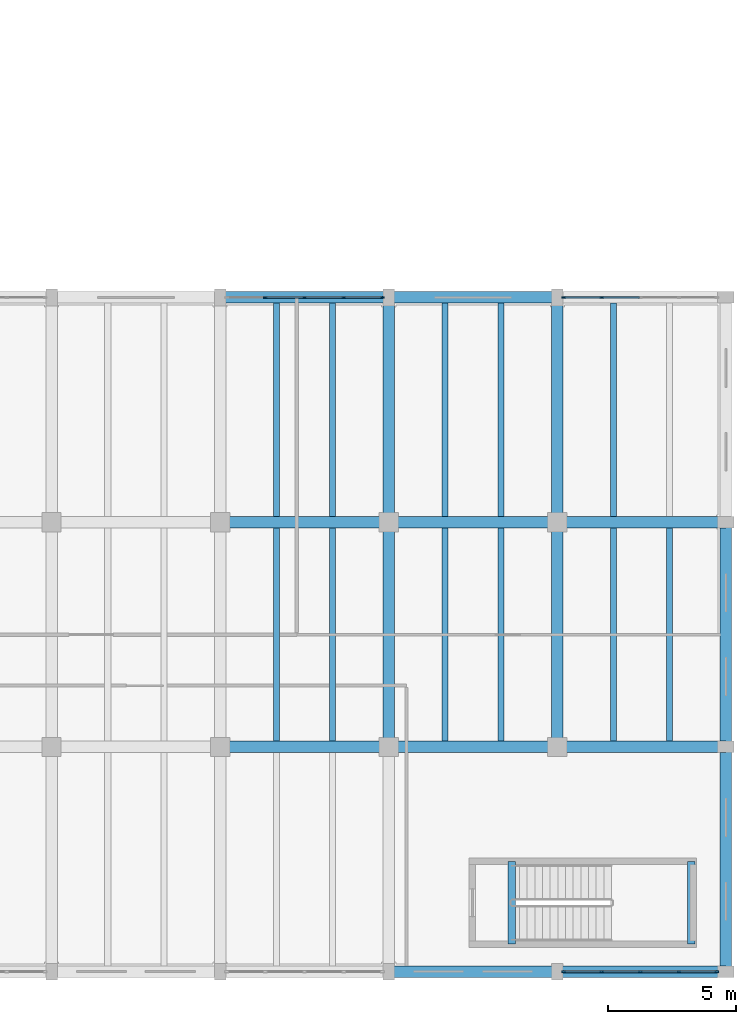
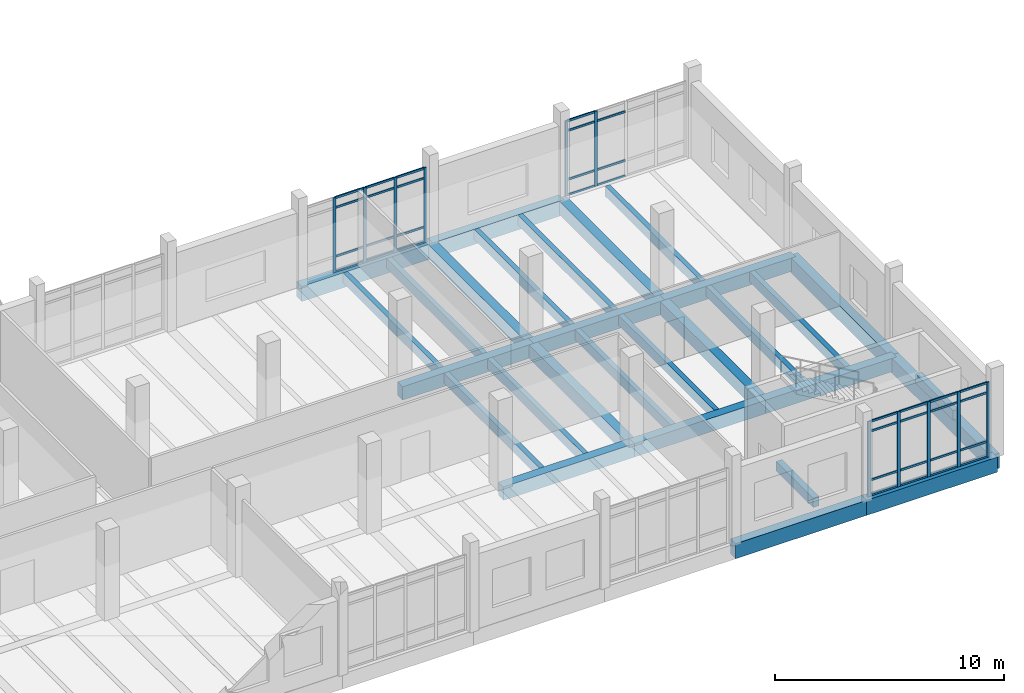
# One storey, part 50 of 125: 46 members, 29 beams, 3 elements without a shape of their own.
"""IFC4 building model written with IfcOpenShell, lengths in metres."""

from ifc_helpers import new_model, si_unit, direction, frame, origin, origin_2d, place, context, subcontext, project, spatial, rectangle, extrude, material, material_profile, profile_set, type_object, element, aggregate, save


model = new_model("IFC4")

# Units and contexts
model_context = context("Model", 3, precision=1e-05, world=origin(), true_north=direction((0.0, 1.0)))
body_context = subcontext(model_context, "Body", "Model", "MODEL_VIEW")
ifc_project = project(units=[si_unit("LENGTHUNIT", "METRE"), si_unit("AREAUNIT", "SQUARE_METRE"), si_unit("VOLUMEUNIT", "CUBIC_METRE"), si_unit("PLANEANGLEUNIT", "RADIAN"), si_unit("MASSUNIT", "GRAM", prefix="KILO")], contexts=[model_context])

# Site, building, storey
site_placement = place(None, origin())
site = spatial("IfcSite", under=ifc_project, at=site_placement, CompositionType="ELEMENT")
building_placement = place(site_placement, origin())
building = spatial("IfcBuilding", under=site, at=building_placement, Name="Dornvale Research Institute", CompositionType="ELEMENT")
storey_placement = place(building_placement, frame((0.0, 0.0, 5.39990234375)))
storey = spatial("IfcBuildingStorey", under=building, at=storey_placement, Name="L01", CompositionType="ELEMENT", Elevation=5.39990234375)

# Beams
ifc_material_1 = material(Name="Concrete f'c 45 MPa (C35/45)", Category="concrete")
ifc_material_profile_1 = material_profile(ifc_material_1, rectangle(XDim=0.300048828125, YDim=0.5, at=origin_2d()), Name="RC 300x500")
ifc_profile_set_1 = profile_set([ifc_material_profile_1], Name="Concrete f'c 45 MPa (C35/45)")
beam_type_1 = type_object("IfcBeamType", Name="Beam_RC300x500_Trim", PredefinedType="BEAM", material=ifc_profile_set_1)
for number, where, z_axis, x_axis, name in (
    (1, (169.820068359375, 1.080078125, -0.25), (0.0, 1.0, 0.0), (-1.0, 0.0, 0.0), "L01 ST-6 stair landing trimmer beam #87"),
    (2, (176.85009765625, 1.080078125, 1.9501953125), (0.0, 1.0, 0.0), (-1.0, 0.0, 0.0), "L01 ST-6 half-landing support beam #93"),
):
    element("IfcBeam", number, at=place(storey_placement, frame(where, z_axis=z_axis, x_axis=x_axis)), inside=storey, type_object=beam_type_1, Name=name, PredefinedType="BEAM", context=body_context, shape_type="SweptSolid", body=[
        extrude(rectangle(XDim=0.300048828125, YDim=0.5, at=origin_2d()), origin(), (0.0, 0.0, 1.0), 3.239990234375),
    ])
ifc_material_2 = material(Name="Concrete f'c 45 MPa (C35/45)", Category="concrete")
ifc_material_profile_2 = material_profile(ifc_material_2, rectangle(XDim=0.449951171875, YDim=0.715087890625, at=origin_2d()), Name="RC 450x715")
ifc_profile_set_2 = profile_set([ifc_material_profile_2], Name="Concrete f'c 45 MPa (C35/45)")
beam_type_2 = type_object("IfcBeamType", Name="Beam_RC450x715_Lab", PredefinedType="BEAM", material=ifc_profile_set_2)
for number, where, z_axis, x_axis, name in (
    (3, (158.39990234375, 8.800048828125, -0.357421875), (1.0, 0.0, 0.0), (0.0, 1.0, 0.0), "L01 primary girder #438"),
    (4, (165.0, 8.800048828125, -0.357421875), (1.0, 0.0, 0.0), (0.0, 1.0, 0.0), "L01 primary girder #439"),
):
    element("IfcBeam", number, at=place(storey_placement, frame(where, z_axis=z_axis, x_axis=x_axis)), inside=storey, type_object=beam_type_2, Name=name, PredefinedType="BEAM", context=body_context, shape_type="SweptSolid", body=[
        extrude(rectangle(XDim=0.449951171875, YDim=0.715087890625, at=origin_2d()), origin(), (0.0, 0.0, 1.0), 6.60009765625),
    ])
beam_1_placement = place(storey_placement, frame((171.60009765625, 8.800048828125, -0.357421875), z_axis=(1.0, 0.0, 0.0), x_axis=(0.0, 1.0, 0.0)))
element("IfcBeam", 5, at=beam_1_placement, inside=storey, type_object=beam_type_2, Name="L01 primary girder #440", PredefinedType="BEAM", context=body_context, shape_type="SweptSolid", body=[
    extrude(rectangle(XDim=0.449951171875, YDim=0.715087890625, at=origin_2d()), origin(), (0.0, 0.0, 1.0), 6.599853515625),
])
for number, where, z_axis, x_axis, name in (
    (6, (158.39990234375, 17.60009765625, -0.357421875), (1.0, 0.0, 0.0), (0.0, 1.0, 0.0), "L01 primary girder #450"),
    (7, (165.0, 17.60009765625, -0.357421875), (1.0, 0.0, 0.0), (0.0, 1.0, 0.0), "L01 primary girder #451"),
):
    element("IfcBeam", number, at=place(storey_placement, frame(where, z_axis=z_axis, x_axis=x_axis)), inside=storey, type_object=beam_type_2, Name=name, PredefinedType="BEAM", context=body_context, shape_type="SweptSolid", body=[
        extrude(rectangle(XDim=0.449951171875, YDim=0.715087890625, at=origin_2d()), origin(), (0.0, 0.0, 1.0), 6.60009765625),
    ])
beam_2_placement = place(storey_placement, frame((171.60009765625, 17.60009765625, -0.357421875), z_axis=(1.0, 0.0, 0.0), x_axis=(0.0, 1.0, 0.0)))
element("IfcBeam", 8, at=beam_2_placement, inside=storey, type_object=beam_type_2, Name="L01 primary girder #452", PredefinedType="BEAM", context=body_context, shape_type="SweptSolid", body=[
    extrude(rectangle(XDim=0.449951171875, YDim=0.715087890625, at=origin_2d()), origin(), (0.0, 0.0, 1.0), 6.599853515625),
])
beam_3_placement = place(storey_placement, frame((165.0, 8.800048828125, -0.357421875), z_axis=(0.0, 1.0, 0.0), x_axis=(-1.0, 0.0, 0.0)))
element("IfcBeam", 9, at=beam_3_placement, inside=storey, type_object=beam_type_2, Name="L01 transverse girder #495", PredefinedType="BEAM", context=body_context, shape_type="SweptSolid", body=[
    extrude(rectangle(XDim=0.449951171875, YDim=0.715087890625, at=origin_2d()), origin(), (0.0, 0.0, 1.0), 8.800048828125),
])
beam_4_placement = place(storey_placement, frame((165.0, 17.60009765625, -0.357421875), z_axis=(0.0, 1.0, 0.0), x_axis=(-1.0, 0.0, 0.0)))
element("IfcBeam", 10, at=beam_4_placement, inside=storey, type_object=beam_type_2, Name="L01 transverse girder #496", PredefinedType="BEAM", context=body_context, shape_type="SweptSolid", body=[
    extrude(rectangle(XDim=0.449951171875, YDim=0.715087890625, at=origin_2d()), origin(), (0.0, 0.0, 1.0), 8.7998046875),
])
beam_5_placement = place(storey_placement, frame((171.60009765625, 8.800048828125, -0.357421875), z_axis=(0.0, 1.0, 0.0), x_axis=(-1.0, 0.0, 0.0)))
element("IfcBeam", 11, at=beam_5_placement, inside=storey, type_object=beam_type_2, Name="L01 transverse girder #497", PredefinedType="BEAM", context=body_context, shape_type="SweptSolid", body=[
    extrude(rectangle(XDim=0.449951171875, YDim=0.715087890625, at=origin_2d()), origin(), (0.0, 0.0, 1.0), 8.800048828125),
])
beam_6_placement = place(storey_placement, frame((171.60009765625, 17.60009765625, -0.357421875), z_axis=(0.0, 1.0, 0.0), x_axis=(-1.0, 0.0, 0.0)))
element("IfcBeam", 12, at=beam_6_placement, inside=storey, type_object=beam_type_2, Name="L01 transverse girder #498", PredefinedType="BEAM", context=body_context, shape_type="SweptSolid", body=[
    extrude(rectangle(XDim=0.449951171875, YDim=0.715087890625, at=origin_2d()), origin(), (0.0, 0.0, 1.0), 8.7998046875),
])
ifc_material_3 = material(Name="Concrete f'c 45 MPa (C35/45)", Category="concrete")
ifc_material_profile_3 = material_profile(ifc_material_3, rectangle(XDim=0.239990234375, YDim=0.534912109375, at=origin_2d()), Name="RC 240x535")
ifc_profile_set_3 = profile_set([ifc_material_profile_3], Name="Concrete f'c 45 MPa (C35/45)")
beam_type_3 = type_object("IfcBeamType", Name="Joist_RC240x535_Waffle", PredefinedType="JOIST", material=ifc_profile_set_3)
for number, where, z_axis, x_axis, name in (
    (13, (160.60009765625, 9.02490234375, -0.267333984375), (0.0, 1.0, 0.0), (-1.0, 0.0, 0.0), "L01 laboratory waffle joist #265"),
    (14, (162.800048828125, 9.02490234375, -0.267333984375), (0.0, 1.0, 0.0), (-1.0, 0.0, 0.0), "L01 laboratory waffle joist #266"),
    (15, (160.60009765625, 17.824951171875, -0.267333984375), (0.0, 1.0, 0.0), (-1.0, 0.0, 0.0), "L01 laboratory waffle joist #267"),
    (16, (162.800048828125, 17.824951171875, -0.267333984375), (0.0, 1.0, 0.0), (-1.0, 0.0, 0.0), "L01 laboratory waffle joist #268"),
    (17, (167.199951171875, 9.02490234375, -0.267333984375), (0.0, 1.0, 0.0), (-1.0, 0.0, 0.0), "L01 laboratory waffle joist #269"),
    (18, (169.39990234375, 9.02490234375, -0.267333984375), (0.0, 1.0, 0.0), (-1.0, 0.0, 0.0), "L01 laboratory waffle joist #270"),
    (19, (167.199951171875, 17.824951171875, -0.267333984375), (0.0, 1.0, 0.0), (-1.0, 0.0, 0.0), "L01 laboratory waffle joist #271"),
    (20, (169.39990234375, 17.824951171875, -0.267333984375), (0.0, 1.0, 0.0), (-1.0, 0.0, 0.0), "L01 laboratory waffle joist #272"),
    (21, (173.800048828125, 9.02490234375, -0.267333984375), (0.0, 1.0, 0.0), (-1.0, 0.0, 0.0), "L01 laboratory waffle joist #273"),
    (22, (176.0, 9.02490234375, -0.267333984375), (0.0, 1.0, 0.0), (-1.0, 0.0, 0.0), "L01 laboratory waffle joist #274"),
    (23, (173.800048828125, 17.824951171875, -0.267333984375), (0.0, 1.0, 0.0), (-1.0, 0.0, 0.0), "L01 laboratory waffle joist #275"),
):
    element("IfcBeam", number, at=place(storey_placement, frame(where, z_axis=z_axis, x_axis=x_axis)), inside=storey, type_object=beam_type_3, Name=name, PredefinedType="JOIST", context=body_context, shape_type="SweptSolid", body=[
        extrude(rectangle(XDim=0.239990234375, YDim=0.534912109375, at=origin_2d()), origin(), (0.0, 0.0, 1.0), 8.35009765625),
    ])

# Curtain wall, members
ifc_material_4 = material(Name="Low-E Argon Double Insulating Glazing Unit", Category="glass")
curtain_wall_type_1 = type_object("IfcCurtainWallType", Name="UnitisedCurtainWall_V3_6150x4000", PredefinedType="USERDEFINED", material=ifc_material_4)
curtain_wall_1_placement = place(storey_placement, origin())
curtain_wall_1 = element("IfcCurtainWall", 24, at=curtain_wall_1_placement, inside=storey, type_object=curtain_wall_type_1, Name="L01 V3 unitised curtain wall CW-06 #34", ObjectType="UNITISED CURTAIN WALL", PredefinedType="USERDEFINED")
ifc_material_5 = material(Name="Anodized Aluminum AA 6063-T6 Thermally Broken Frame", Category="aluminium")
ifc_material_profile_4 = material_profile(ifc_material_5, rectangle(XDim=0.06494140625, YDim=0.14990234375, at=origin_2d()), Name="ALU MULLION 65x150")
ifc_profile_set_4 = profile_set([ifc_material_profile_4], Name="Anodized Aluminum AA 6063-T6 Thermally Broken Frame")
member_type_1 = type_object("IfcMemberType", Name="Mullion_CW_65x150", PredefinedType="MULLION", material=ifc_profile_set_4)
member_1_placement = place(storey_placement, frame((160.16259765625, 26.39990234375, 0.0), z_axis=(0.0, 0.0, 1.0), x_axis=(0.0, 1.0, 0.0)))
member_1 = element("IfcMember", 25, at=member_1_placement, type_object=member_type_1, Name="CW-06 mullion 2", PredefinedType="MULLION", context=body_context, shape_type="SweptSolid", body=[
    extrude(rectangle(XDim=0.06494140625, YDim=0.14990234375, at=origin_2d()), origin(), (0.0, 0.0, 1.0), 4.0),
])
member_2_placement = place(storey_placement, frame((161.699951171875, 26.39990234375, 0.0), z_axis=(0.0, 0.0, 1.0), x_axis=(0.0, 1.0, 0.0)))
member_2 = element("IfcMember", 26, at=member_2_placement, type_object=member_type_1, Name="CW-06 mullion 3", PredefinedType="MULLION", context=body_context, shape_type="SweptSolid", body=[
    extrude(rectangle(XDim=0.06494140625, YDim=0.14990234375, at=origin_2d()), origin(), (0.0, 0.0, 1.0), 4.0),
])
member_3_placement = place(storey_placement, frame((163.237548828125, 26.39990234375, 0.0), z_axis=(0.0, 0.0, 1.0), x_axis=(0.0, 1.0, 0.0)))
member_3 = element("IfcMember", 27, at=member_3_placement, type_object=member_type_1, Name="CW-06 mullion 4", PredefinedType="MULLION", context=body_context, shape_type="SweptSolid", body=[
    extrude(rectangle(XDim=0.06494140625, YDim=0.14990234375, at=origin_2d()), origin(), (0.0, 0.0, 1.0), 4.0),
])
member_4_placement = place(storey_placement, frame((164.742431640625, 26.39990234375, 0.0), z_axis=(0.0, 0.0, 1.0), x_axis=(0.0, 1.0, 0.0)))
member_4 = element("IfcMember", 28, at=member_4_placement, type_object=member_type_1, Name="CW-06 mullion 5", PredefinedType="MULLION", context=body_context, shape_type="SweptSolid", body=[
    extrude(rectangle(XDim=0.06494140625, YDim=0.14990234375, at=origin_2d()), origin(), (0.0, 0.0, 1.0), 4.0),
])

ifc_material_6 = material(Name="Low-E Argon Double Insulating Glazing Unit", Category="glass")
curtain_wall_type_2 = type_object("IfcCurtainWallType", Name="UnitisedCurtainWall_V3_6050x4000", PredefinedType="USERDEFINED", material=ifc_material_6)
curtain_wall_2_placement = place(storey_placement, origin())
curtain_wall_2 = element("IfcCurtainWall", 29, at=curtain_wall_2_placement, inside=storey, type_object=curtain_wall_type_2, Name="L01 V3 unitised curtain wall CW-07 #35", ObjectType="UNITISED CURTAIN WALL", PredefinedType="USERDEFINED")
member_5_placement = place(storey_placement, frame((171.857421875, 26.39990234375, 0.0), z_axis=(0.0, 0.0, 1.0), x_axis=(0.0, 1.0, 0.0)))
member_5 = element("IfcMember", 30, at=member_5_placement, type_object=member_type_1, Name="CW-07 mullion 1", PredefinedType="MULLION", context=body_context, shape_type="SweptSolid", body=[
    extrude(rectangle(XDim=0.06494140625, YDim=0.14990234375, at=origin_2d()), origin(), (0.0, 0.0, 1.0), 4.0),
])
member_6_placement = place(storey_placement, frame((173.33740234375, 26.39990234375, 0.0), z_axis=(0.0, 0.0, 1.0), x_axis=(0.0, 1.0, 0.0)))
member_6 = element("IfcMember", 31, at=member_6_placement, type_object=member_type_1, Name="CW-07 mullion 2", PredefinedType="MULLION", context=body_context, shape_type="SweptSolid", body=[
    extrude(rectangle(XDim=0.06494140625, YDim=0.14990234375, at=origin_2d()), origin(), (0.0, 0.0, 1.0), 4.0),
])

curtain_wall_3_placement = place(storey_placement, origin())
curtain_wall_3 = element("IfcCurtainWall", 32, at=curtain_wall_3_placement, inside=storey, type_object=curtain_wall_type_2, Name="L01 V3 unitised curtain wall CW-07 #36", ObjectType="UNITISED CURTAIN WALL", PredefinedType="USERDEFINED")
member_7_placement = place(storey_placement, frame((177.842529296875, 0.0, 0.0), z_axis=(0.0, 0.0, 1.0), x_axis=(0.0, -1.0, 0.0)))
member_7 = element("IfcMember", 33, at=member_7_placement, type_object=member_type_1, Name="CW-07 mullion 1", PredefinedType="MULLION", context=body_context, shape_type="SweptSolid", body=[
    extrude(rectangle(XDim=0.06494140625, YDim=0.14990234375, at=origin_2d()), origin(), (0.0, 0.0, 1.0), 4.0),
])
member_8_placement = place(storey_placement, frame((176.362548828125, 0.0, 0.0), z_axis=(0.0, 0.0, 1.0), x_axis=(0.0, -1.0, 0.0)))
member_8 = element("IfcMember", 34, at=member_8_placement, type_object=member_type_1, Name="CW-07 mullion 2", PredefinedType="MULLION", context=body_context, shape_type="SweptSolid", body=[
    extrude(rectangle(XDim=0.06494140625, YDim=0.14990234375, at=origin_2d()), origin(), (0.0, 0.0, 1.0), 4.0),
])
member_9_placement = place(storey_placement, frame((174.85009765625, 0.0, 0.0), z_axis=(0.0, 0.0, 1.0), x_axis=(0.0, -1.0, 0.0)))
member_9 = element("IfcMember", 35, at=member_9_placement, type_object=member_type_1, Name="CW-07 mullion 3", PredefinedType="MULLION", context=body_context, shape_type="SweptSolid", body=[
    extrude(rectangle(XDim=0.06494140625, YDim=0.14990234375, at=origin_2d()), origin(), (0.0, 0.0, 1.0), 4.0),
])
member_10_placement = place(storey_placement, frame((173.33740234375, 0.0, 0.0), z_axis=(0.0, 0.0, 1.0), x_axis=(0.0, -1.0, 0.0)))
member_10 = element("IfcMember", 36, at=member_10_placement, type_object=member_type_1, Name="CW-07 mullion 4", PredefinedType="MULLION", context=body_context, shape_type="SweptSolid", body=[
    extrude(rectangle(XDim=0.06494140625, YDim=0.14990234375, at=origin_2d()), origin(), (0.0, 0.0, 1.0), 4.0),
])
member_11_placement = place(storey_placement, frame((171.857421875, 0.0, 0.0), z_axis=(0.0, 0.0, 1.0), x_axis=(0.0, -1.0, 0.0)))
member_11 = element("IfcMember", 37, at=member_11_placement, type_object=member_type_1, Name="CW-07 mullion 5", PredefinedType="MULLION", context=body_context, shape_type="SweptSolid", body=[
    extrude(rectangle(XDim=0.06494140625, YDim=0.14990234375, at=origin_2d()), origin(), (0.0, 0.0, 1.0), 4.0),
])

# Beams
ifc_material_7 = material(Name="Concrete f'c 45 MPa (C35/45)", Category="concrete")
ifc_material_profile_5 = material_profile(ifc_material_7, rectangle(XDim=0.449951171875, YDim=0.800048828125, at=origin_2d()), Name="RC 450x800")
ifc_profile_set_5 = profile_set([ifc_material_profile_5], Name="Concrete f'c 45 MPa (C35/45)")
beam_type_4 = type_object("IfcBeamType", Name="Spandrel_RC450x800_Ext", PredefinedType="SPANDREL", material=ifc_profile_set_5)
beam_7_placement = place(storey_placement, frame((165.0, 0.0, -0.39990234375), z_axis=(1.0, 0.0, 0.0), x_axis=(0.0, 1.0, 0.0)))
element("IfcBeam", 38, at=beam_7_placement, inside=storey, type_object=beam_type_4, Name="L01 perimeter spandrel #427", PredefinedType="SPANDREL", context=body_context, shape_type="SweptSolid", body=[
    extrude(rectangle(XDim=0.449951171875, YDim=0.800048828125, at=origin_2d()), origin(), (0.0, 0.0, 1.0), 6.60009765625),
])
beam_8_placement = place(storey_placement, frame((171.60009765625, 0.0, -0.39990234375), z_axis=(1.0, 0.0, 0.0), x_axis=(0.0, 1.0, 0.0)))
element("IfcBeam", 39, at=beam_8_placement, inside=storey, type_object=beam_type_4, Name="L01 perimeter spandrel #428", PredefinedType="SPANDREL", context=body_context, shape_type="SweptSolid", body=[
    extrude(rectangle(XDim=0.449951171875, YDim=0.800048828125, at=origin_2d()), origin(), (0.0, 0.0, 1.0), 6.599853515625),
])
for number, where, z_axis, x_axis, name in (
    (40, (158.39990234375, 26.39990234375, -0.39990234375), (1.0, 0.0, 0.0), (0.0, 1.0, 0.0), "L01 perimeter spandrel #462"),
    (41, (165.0, 26.39990234375, -0.39990234375), (1.0, 0.0, 0.0), (0.0, 1.0, 0.0), "L01 perimeter spandrel #463"),
):
    element("IfcBeam", number, at=place(storey_placement, frame(where, z_axis=z_axis, x_axis=x_axis)), inside=storey, type_object=beam_type_4, Name=name, PredefinedType="SPANDREL", context=body_context, shape_type="SweptSolid", body=[
        extrude(rectangle(XDim=0.449951171875, YDim=0.800048828125, at=origin_2d()), origin(), (0.0, 0.0, 1.0), 6.60009765625),
    ])
for number, where, z_axis, x_axis, name in (
    (42, (178.199951171875, 0.0, -0.39990234375), (0.0, 1.0, 0.0), (-1.0, 0.0, 0.0), "L01 perimeter spandrel #499"),
    (43, (178.199951171875, 8.800048828125, -0.39990234375), (0.0, 1.0, 0.0), (-1.0, 0.0, 0.0), "L01 perimeter spandrel #500"),
):
    element("IfcBeam", number, at=place(storey_placement, frame(where, z_axis=z_axis, x_axis=x_axis)), inside=storey, type_object=beam_type_4, Name=name, PredefinedType="SPANDREL", context=body_context, shape_type="SweptSolid", body=[
        extrude(rectangle(XDim=0.449951171875, YDim=0.800048828125, at=origin_2d()), origin(), (0.0, 0.0, 1.0), 8.800048828125),
    ])

# Member
ifc_material_8 = material(Name="Anodized Aluminum AA 6063-T6 Thermally Broken Frame", Category="aluminium")
ifc_material_profile_6 = material_profile(ifc_material_8, rectangle(XDim=0.06494140625, YDim=0.110107421875, at=origin_2d()), Name="ALU TRANSOM 65x110")
ifc_profile_set_6 = profile_set([ifc_material_profile_6], Name="Anodized Aluminum AA 6063-T6 Thermally Broken Frame")
member_type_2 = type_object("IfcMemberType", Name="Transom_CW_65x110", PredefinedType="USERDEFINED", material=ifc_profile_set_6)
member_12_placement = place(storey_placement, frame((160.195068359375, 26.39990234375, 0.03271484375), z_axis=(1.0, 0.0, 0.0), x_axis=(0.0, 1.0, 0.0)))
member_12 = element("IfcMember", 44, at=member_12_placement, type_object=member_type_2, Name="CW-06 transom 2.1", ObjectType="TRANSOM", PredefinedType="USERDEFINED", context=body_context, shape_type="SweptSolid", body=[
    extrude(rectangle(XDim=0.06494140625, YDim=0.110107421875, at=origin_2d()), origin(), (0.0, 0.0, 1.0), 1.472412109375),
])

member_13_placement = place(storey_placement, frame((160.195068359375, 26.39990234375, 0.85009765625), z_axis=(1.0, 0.0, 0.0), x_axis=(0.0, 1.0, 0.0)))
member_13 = element("IfcMember", 45, at=member_13_placement, type_object=member_type_2, Name="CW-06 transom 2.2", ObjectType="TRANSOM", PredefinedType="USERDEFINED", context=body_context, shape_type="SweptSolid", body=[
    extrude(rectangle(XDim=0.06494140625, YDim=0.110107421875, at=origin_2d()), origin(), (0.0, 0.0, 1.0), 1.472412109375),
])

member_14_placement = place(storey_placement, frame((160.195068359375, 26.39990234375, 3.4501953125), z_axis=(1.0, 0.0, 0.0), x_axis=(0.0, 1.0, 0.0)))
member_14 = element("IfcMember", 46, at=member_14_placement, type_object=member_type_2, Name="CW-06 transom 2.3", ObjectType="TRANSOM", PredefinedType="USERDEFINED", context=body_context, shape_type="SweptSolid", body=[
    extrude(rectangle(XDim=0.06494140625, YDim=0.110107421875, at=origin_2d()), origin(), (0.0, 0.0, 1.0), 1.472412109375),
])

member_15_placement = place(storey_placement, frame((160.195068359375, 26.39990234375, 3.967529296875), z_axis=(1.0, 0.0, 0.0), x_axis=(0.0, 1.0, 0.0)))
member_15 = element("IfcMember", 47, at=member_15_placement, type_object=member_type_2, Name="CW-06 transom 2.4", ObjectType="TRANSOM", PredefinedType="USERDEFINED", context=body_context, shape_type="SweptSolid", body=[
    extrude(rectangle(XDim=0.06494140625, YDim=0.110107421875, at=origin_2d()), origin(), (0.0, 0.0, 1.0), 1.472412109375),
])

member_16_placement = place(storey_placement, frame((161.732421875, 26.39990234375, 0.03271484375), z_axis=(1.0, 0.0, 0.0), x_axis=(0.0, 1.0, 0.0)))
member_16 = element("IfcMember", 48, at=member_16_placement, type_object=member_type_2, Name="CW-06 transom 3.1", ObjectType="TRANSOM", PredefinedType="USERDEFINED", context=body_context, shape_type="SweptSolid", body=[
    extrude(rectangle(XDim=0.06494140625, YDim=0.110107421875, at=origin_2d()), origin(), (0.0, 0.0, 1.0), 1.47265625),
])

member_17_placement = place(storey_placement, frame((161.732421875, 26.39990234375, 0.85009765625), z_axis=(1.0, 0.0, 0.0), x_axis=(0.0, 1.0, 0.0)))
member_17 = element("IfcMember", 49, at=member_17_placement, type_object=member_type_2, Name="CW-06 transom 3.2", ObjectType="TRANSOM", PredefinedType="USERDEFINED", context=body_context, shape_type="SweptSolid", body=[
    extrude(rectangle(XDim=0.06494140625, YDim=0.110107421875, at=origin_2d()), origin(), (0.0, 0.0, 1.0), 1.47265625),
])

member_18_placement = place(storey_placement, frame((161.732421875, 26.39990234375, 3.4501953125), z_axis=(1.0, 0.0, 0.0), x_axis=(0.0, 1.0, 0.0)))
member_18 = element("IfcMember", 50, at=member_18_placement, type_object=member_type_2, Name="CW-06 transom 3.3", ObjectType="TRANSOM", PredefinedType="USERDEFINED", context=body_context, shape_type="SweptSolid", body=[
    extrude(rectangle(XDim=0.06494140625, YDim=0.110107421875, at=origin_2d()), origin(), (0.0, 0.0, 1.0), 1.47265625),
])

member_19_placement = place(storey_placement, frame((161.732421875, 26.39990234375, 3.967529296875), z_axis=(1.0, 0.0, 0.0), x_axis=(0.0, 1.0, 0.0)))
member_19 = element("IfcMember", 51, at=member_19_placement, type_object=member_type_2, Name="CW-06 transom 3.4", ObjectType="TRANSOM", PredefinedType="USERDEFINED", context=body_context, shape_type="SweptSolid", body=[
    extrude(rectangle(XDim=0.06494140625, YDim=0.110107421875, at=origin_2d()), origin(), (0.0, 0.0, 1.0), 1.47265625),
])

member_20_placement = place(storey_placement, frame((163.27001953125, 26.39990234375, 0.03271484375), z_axis=(1.0, 0.0, 0.0), x_axis=(0.0, 1.0, 0.0)))
member_20 = element("IfcMember", 52, at=member_20_placement, type_object=member_type_2, Name="CW-06 transom 4.1", ObjectType="TRANSOM", PredefinedType="USERDEFINED", context=body_context, shape_type="SweptSolid", body=[
    extrude(rectangle(XDim=0.06494140625, YDim=0.110107421875, at=origin_2d()), origin(), (0.0, 0.0, 1.0), 1.43994140625),
])

member_21_placement = place(storey_placement, frame((163.27001953125, 26.39990234375, 0.85009765625), z_axis=(1.0, 0.0, 0.0), x_axis=(0.0, 1.0, 0.0)))
member_21 = element("IfcMember", 53, at=member_21_placement, type_object=member_type_2, Name="CW-06 transom 4.2", ObjectType="TRANSOM", PredefinedType="USERDEFINED", context=body_context, shape_type="SweptSolid", body=[
    extrude(rectangle(XDim=0.06494140625, YDim=0.110107421875, at=origin_2d()), origin(), (0.0, 0.0, 1.0), 1.43994140625),
])

member_22_placement = place(storey_placement, frame((163.27001953125, 26.39990234375, 3.4501953125), z_axis=(1.0, 0.0, 0.0), x_axis=(0.0, 1.0, 0.0)))
member_22 = element("IfcMember", 54, at=member_22_placement, type_object=member_type_2, Name="CW-06 transom 4.3", ObjectType="TRANSOM", PredefinedType="USERDEFINED", context=body_context, shape_type="SweptSolid", body=[
    extrude(rectangle(XDim=0.06494140625, YDim=0.110107421875, at=origin_2d()), origin(), (0.0, 0.0, 1.0), 1.43994140625),
])

member_23_placement = place(storey_placement, frame((163.27001953125, 26.39990234375, 3.967529296875), z_axis=(1.0, 0.0, 0.0), x_axis=(0.0, 1.0, 0.0)))
member_23 = element("IfcMember", 55, at=member_23_placement, type_object=member_type_2, Name="CW-06 transom 4.4", ObjectType="TRANSOM", PredefinedType="USERDEFINED", context=body_context, shape_type="SweptSolid", body=[
    extrude(rectangle(XDim=0.06494140625, YDim=0.110107421875, at=origin_2d()), origin(), (0.0, 0.0, 1.0), 1.43994140625),
])

aggregate(curtain_wall_1, [member_1, member_2, member_3, member_4, member_12, member_13, member_14, member_15, member_16, member_17, member_18, member_19, member_20, member_21, member_22, member_23])

member_24_placement = place(storey_placement, frame((171.889892578125, 26.39990234375, 0.03271484375), z_axis=(1.0, 0.0, 0.0), x_axis=(0.0, 1.0, 0.0)))
member_24 = element("IfcMember", 56, at=member_24_placement, type_object=member_type_2, Name="CW-07 transom 1.1", ObjectType="TRANSOM", PredefinedType="USERDEFINED", context=body_context, shape_type="SweptSolid", body=[
    extrude(rectangle(XDim=0.06494140625, YDim=0.110107421875, at=origin_2d()), origin(), (0.0, 0.0, 1.0), 1.4150390625),
])

member_25_placement = place(storey_placement, frame((171.889892578125, 26.39990234375, 0.85009765625), z_axis=(1.0, 0.0, 0.0), x_axis=(0.0, 1.0, 0.0)))
member_25 = element("IfcMember", 57, at=member_25_placement, type_object=member_type_2, Name="CW-07 transom 1.2", ObjectType="TRANSOM", PredefinedType="USERDEFINED", context=body_context, shape_type="SweptSolid", body=[
    extrude(rectangle(XDim=0.06494140625, YDim=0.110107421875, at=origin_2d()), origin(), (0.0, 0.0, 1.0), 1.4150390625),
])

member_26_placement = place(storey_placement, frame((171.889892578125, 26.39990234375, 3.4501953125), z_axis=(1.0, 0.0, 0.0), x_axis=(0.0, 1.0, 0.0)))
member_26 = element("IfcMember", 58, at=member_26_placement, type_object=member_type_2, Name="CW-07 transom 1.3", ObjectType="TRANSOM", PredefinedType="USERDEFINED", context=body_context, shape_type="SweptSolid", body=[
    extrude(rectangle(XDim=0.06494140625, YDim=0.110107421875, at=origin_2d()), origin(), (0.0, 0.0, 1.0), 1.4150390625),
])

member_27_placement = place(storey_placement, frame((171.889892578125, 26.39990234375, 3.967529296875), z_axis=(1.0, 0.0, 0.0), x_axis=(0.0, 1.0, 0.0)))
member_27 = element("IfcMember", 59, at=member_27_placement, type_object=member_type_2, Name="CW-07 transom 1.4", ObjectType="TRANSOM", PredefinedType="USERDEFINED", context=body_context, shape_type="SweptSolid", body=[
    extrude(rectangle(XDim=0.06494140625, YDim=0.110107421875, at=origin_2d()), origin(), (0.0, 0.0, 1.0), 1.4150390625),
])

member_28_placement = place(storey_placement, frame((173.3701171875, 26.39990234375, 0.03271484375), z_axis=(1.0, 0.0, 0.0), x_axis=(0.0, 1.0, 0.0)))
member_28 = element("IfcMember", 60, at=member_28_placement, type_object=member_type_2, Name="CW-07 transom 2.1", ObjectType="TRANSOM", PredefinedType="USERDEFINED", context=body_context, shape_type="SweptSolid", body=[
    extrude(rectangle(XDim=0.06494140625, YDim=0.110107421875, at=origin_2d()), origin(), (0.0, 0.0, 1.0), 1.447265625),
])

member_29_placement = place(storey_placement, frame((173.3701171875, 26.39990234375, 0.85009765625), z_axis=(1.0, 0.0, 0.0), x_axis=(0.0, 1.0, 0.0)))
member_29 = element("IfcMember", 61, at=member_29_placement, type_object=member_type_2, Name="CW-07 transom 2.2", ObjectType="TRANSOM", PredefinedType="USERDEFINED", context=body_context, shape_type="SweptSolid", body=[
    extrude(rectangle(XDim=0.06494140625, YDim=0.110107421875, at=origin_2d()), origin(), (0.0, 0.0, 1.0), 1.447265625),
])

member_30_placement = place(storey_placement, frame((173.3701171875, 26.39990234375, 3.4501953125), z_axis=(1.0, 0.0, 0.0), x_axis=(0.0, 1.0, 0.0)))
member_30 = element("IfcMember", 62, at=member_30_placement, type_object=member_type_2, Name="CW-07 transom 2.3", ObjectType="TRANSOM", PredefinedType="USERDEFINED", context=body_context, shape_type="SweptSolid", body=[
    extrude(rectangle(XDim=0.06494140625, YDim=0.110107421875, at=origin_2d()), origin(), (0.0, 0.0, 1.0), 1.447265625),
])

aggregate(curtain_wall_2, [member_5, member_6, member_24, member_25, member_26, member_27, member_28, member_29, member_30])

member_31_placement = place(storey_placement, frame((177.81005859375, 0.0, 0.03271484375), z_axis=(-1.0, 0.0, 0.0), x_axis=(0.0, -1.0, 0.0)))
member_31 = element("IfcMember", 63, at=member_31_placement, type_object=member_type_2, Name="CW-07 transom 1.1", ObjectType="TRANSOM", PredefinedType="USERDEFINED", context=body_context, shape_type="SweptSolid", body=[
    extrude(rectangle(XDim=0.06494140625, YDim=0.110107421875, at=origin_2d()), origin(), (0.0, 0.0, 1.0), 1.4150390625),
])

member_32_placement = place(storey_placement, frame((177.81005859375, 0.0, 0.85009765625), z_axis=(-1.0, 0.0, 0.0), x_axis=(0.0, -1.0, 0.0)))
member_32 = element("IfcMember", 64, at=member_32_placement, type_object=member_type_2, Name="CW-07 transom 1.2", ObjectType="TRANSOM", PredefinedType="USERDEFINED", context=body_context, shape_type="SweptSolid", body=[
    extrude(rectangle(XDim=0.06494140625, YDim=0.110107421875, at=origin_2d()), origin(), (0.0, 0.0, 1.0), 1.4150390625),
])

member_33_placement = place(storey_placement, frame((177.81005859375, 0.0, 3.4501953125), z_axis=(-1.0, 0.0, 0.0), x_axis=(0.0, -1.0, 0.0)))
member_33 = element("IfcMember", 65, at=member_33_placement, type_object=member_type_2, Name="CW-07 transom 1.3", ObjectType="TRANSOM", PredefinedType="USERDEFINED", context=body_context, shape_type="SweptSolid", body=[
    extrude(rectangle(XDim=0.06494140625, YDim=0.110107421875, at=origin_2d()), origin(), (0.0, 0.0, 1.0), 1.4150390625),
])

member_34_placement = place(storey_placement, frame((177.81005859375, 0.0, 3.967529296875), z_axis=(-1.0, 0.0, 0.0), x_axis=(0.0, -1.0, 0.0)))
member_34 = element("IfcMember", 66, at=member_34_placement, type_object=member_type_2, Name="CW-07 transom 1.4", ObjectType="TRANSOM", PredefinedType="USERDEFINED", context=body_context, shape_type="SweptSolid", body=[
    extrude(rectangle(XDim=0.06494140625, YDim=0.110107421875, at=origin_2d()), origin(), (0.0, 0.0, 1.0), 1.4150390625),
])

member_35_placement = place(storey_placement, frame((176.330078125, 0.0, 0.03271484375), z_axis=(-1.0, 0.0, 0.0), x_axis=(0.0, -1.0, 0.0)))
member_35 = element("IfcMember", 67, at=member_35_placement, type_object=member_type_2, Name="CW-07 transom 2.1", ObjectType="TRANSOM", PredefinedType="USERDEFINED", context=body_context, shape_type="SweptSolid", body=[
    extrude(rectangle(XDim=0.06494140625, YDim=0.110107421875, at=origin_2d()), origin(), (0.0, 0.0, 1.0), 1.447509765625),
])

member_36_placement = place(storey_placement, frame((176.330078125, 0.0, 0.85009765625), z_axis=(-1.0, 0.0, 0.0), x_axis=(0.0, -1.0, 0.0)))
member_36 = element("IfcMember", 68, at=member_36_placement, type_object=member_type_2, Name="CW-07 transom 2.2", ObjectType="TRANSOM", PredefinedType="USERDEFINED", context=body_context, shape_type="SweptSolid", body=[
    extrude(rectangle(XDim=0.06494140625, YDim=0.110107421875, at=origin_2d()), origin(), (0.0, 0.0, 1.0), 1.447509765625),
])

member_37_placement = place(storey_placement, frame((176.330078125, 0.0, 3.4501953125), z_axis=(-1.0, 0.0, 0.0), x_axis=(0.0, -1.0, 0.0)))
member_37 = element("IfcMember", 69, at=member_37_placement, type_object=member_type_2, Name="CW-07 transom 2.3", ObjectType="TRANSOM", PredefinedType="USERDEFINED", context=body_context, shape_type="SweptSolid", body=[
    extrude(rectangle(XDim=0.06494140625, YDim=0.110107421875, at=origin_2d()), origin(), (0.0, 0.0, 1.0), 1.447509765625),
])

member_38_placement = place(storey_placement, frame((176.330078125, 0.0, 3.967529296875), z_axis=(-1.0, 0.0, 0.0), x_axis=(0.0, -1.0, 0.0)))
member_38 = element("IfcMember", 70, at=member_38_placement, type_object=member_type_2, Name="CW-07 transom 2.4", ObjectType="TRANSOM", PredefinedType="USERDEFINED", context=body_context, shape_type="SweptSolid", body=[
    extrude(rectangle(XDim=0.06494140625, YDim=0.110107421875, at=origin_2d()), origin(), (0.0, 0.0, 1.0), 1.447509765625),
])

member_39_placement = place(storey_placement, frame((174.8173828125, 0.0, 0.03271484375), z_axis=(-1.0, 0.0, 0.0), x_axis=(0.0, -1.0, 0.0)))
member_39 = element("IfcMember", 71, at=member_39_placement, type_object=member_type_2, Name="CW-07 transom 3.1", ObjectType="TRANSOM", PredefinedType="USERDEFINED", context=body_context, shape_type="SweptSolid", body=[
    extrude(rectangle(XDim=0.06494140625, YDim=0.110107421875, at=origin_2d()), origin(), (0.0, 0.0, 1.0), 1.447265625),
])

member_40_placement = place(storey_placement, frame((174.8173828125, 0.0, 0.85009765625), z_axis=(-1.0, 0.0, 0.0), x_axis=(0.0, -1.0, 0.0)))
member_40 = element("IfcMember", 72, at=member_40_placement, type_object=member_type_2, Name="CW-07 transom 3.2", ObjectType="TRANSOM", PredefinedType="USERDEFINED", context=body_context, shape_type="SweptSolid", body=[
    extrude(rectangle(XDim=0.06494140625, YDim=0.110107421875, at=origin_2d()), origin(), (0.0, 0.0, 1.0), 1.447265625),
])

member_41_placement = place(storey_placement, frame((174.8173828125, 0.0, 3.4501953125), z_axis=(-1.0, 0.0, 0.0), x_axis=(0.0, -1.0, 0.0)))
member_41 = element("IfcMember", 73, at=member_41_placement, type_object=member_type_2, Name="CW-07 transom 3.3", ObjectType="TRANSOM", PredefinedType="USERDEFINED", context=body_context, shape_type="SweptSolid", body=[
    extrude(rectangle(XDim=0.06494140625, YDim=0.110107421875, at=origin_2d()), origin(), (0.0, 0.0, 1.0), 1.447265625),
])

member_42_placement = place(storey_placement, frame((174.8173828125, 0.0, 3.967529296875), z_axis=(-1.0, 0.0, 0.0), x_axis=(0.0, -1.0, 0.0)))
member_42 = element("IfcMember", 74, at=member_42_placement, type_object=member_type_2, Name="CW-07 transom 3.4", ObjectType="TRANSOM", PredefinedType="USERDEFINED", context=body_context, shape_type="SweptSolid", body=[
    extrude(rectangle(XDim=0.06494140625, YDim=0.110107421875, at=origin_2d()), origin(), (0.0, 0.0, 1.0), 1.447265625),
])

member_43_placement = place(storey_placement, frame((173.304931640625, 0.0, 0.03271484375), z_axis=(-1.0, 0.0, 0.0), x_axis=(0.0, -1.0, 0.0)))
member_43 = element("IfcMember", 75, at=member_43_placement, type_object=member_type_2, Name="CW-07 transom 4.1", ObjectType="TRANSOM", PredefinedType="USERDEFINED", context=body_context, shape_type="SweptSolid", body=[
    extrude(rectangle(XDim=0.06494140625, YDim=0.110107421875, at=origin_2d()), origin(), (0.0, 0.0, 1.0), 1.4150390625),
])

member_44_placement = place(storey_placement, frame((173.304931640625, 0.0, 0.85009765625), z_axis=(-1.0, 0.0, 0.0), x_axis=(0.0, -1.0, 0.0)))
member_44 = element("IfcMember", 76, at=member_44_placement, type_object=member_type_2, Name="CW-07 transom 4.2", ObjectType="TRANSOM", PredefinedType="USERDEFINED", context=body_context, shape_type="SweptSolid", body=[
    extrude(rectangle(XDim=0.06494140625, YDim=0.110107421875, at=origin_2d()), origin(), (0.0, 0.0, 1.0), 1.4150390625),
])

member_45_placement = place(storey_placement, frame((173.304931640625, 0.0, 3.4501953125), z_axis=(-1.0, 0.0, 0.0), x_axis=(0.0, -1.0, 0.0)))
member_45 = element("IfcMember", 77, at=member_45_placement, type_object=member_type_2, Name="CW-07 transom 4.3", ObjectType="TRANSOM", PredefinedType="USERDEFINED", context=body_context, shape_type="SweptSolid", body=[
    extrude(rectangle(XDim=0.06494140625, YDim=0.110107421875, at=origin_2d()), origin(), (0.0, 0.0, 1.0), 1.4150390625),
])

member_46_placement = place(storey_placement, frame((173.304931640625, 0.0, 3.967529296875), z_axis=(-1.0, 0.0, 0.0), x_axis=(0.0, -1.0, 0.0)))
member_46 = element("IfcMember", 78, at=member_46_placement, type_object=member_type_2, Name="CW-07 transom 4.4", ObjectType="TRANSOM", PredefinedType="USERDEFINED", context=body_context, shape_type="SweptSolid", body=[
    extrude(rectangle(XDim=0.06494140625, YDim=0.110107421875, at=origin_2d()), origin(), (0.0, 0.0, 1.0), 1.4150390625),
])

aggregate(curtain_wall_3, [member_7, member_8, member_9, member_10, member_11, member_31, member_32, member_33, member_34, member_35, member_36, member_37, member_38, member_39, member_40, member_41, member_42, member_43, member_44, member_45, member_46])

save(model, "model.ifc")
